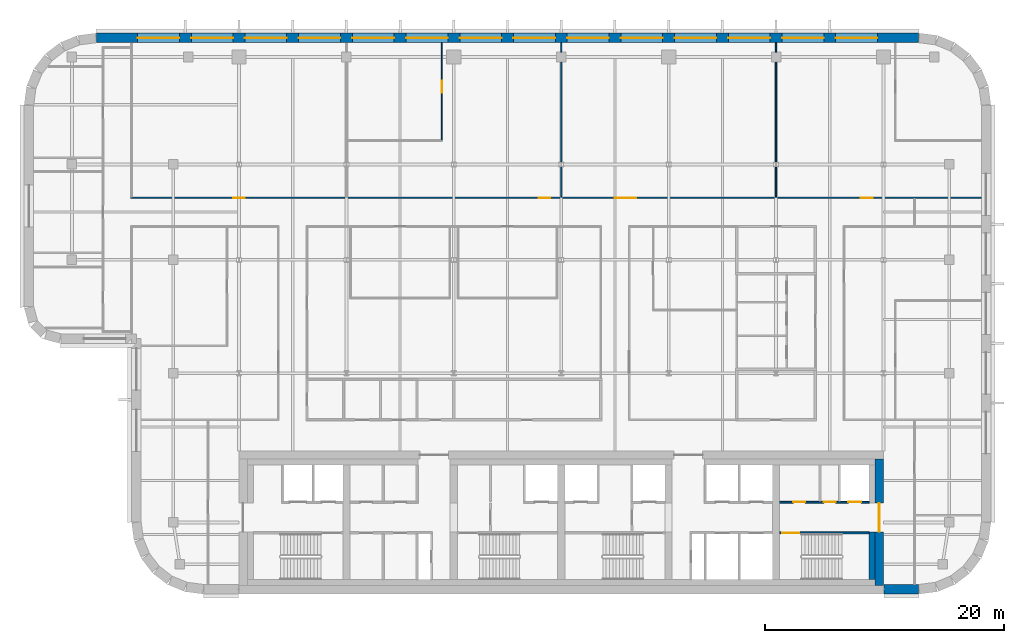
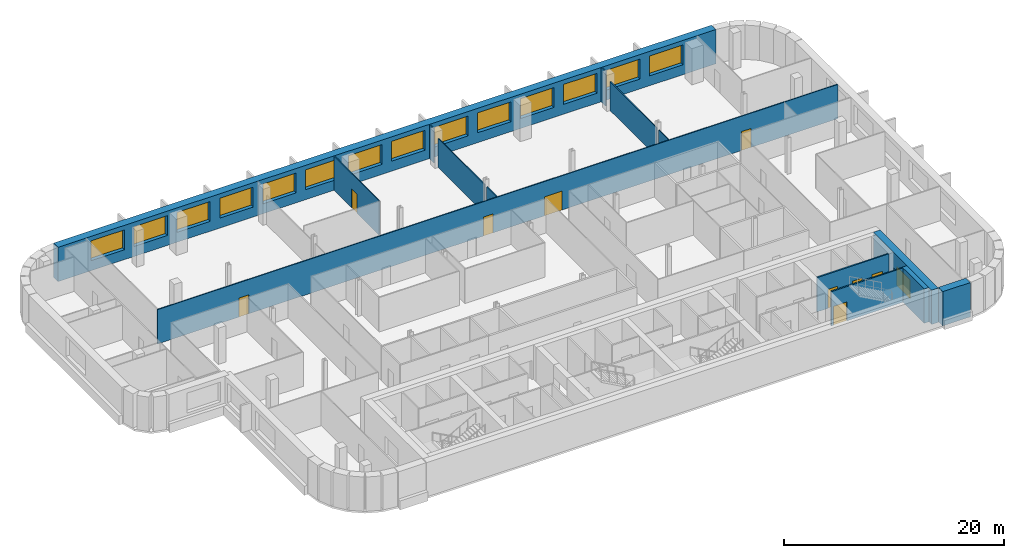
# One storey, part 11 of 17: 14 walls, 14 windows, 10 doors, 24 openings.
"""IFC4 building model written with IfcOpenShell, lengths in metres."""

from ifc_helpers import new_model, si_unit, direction, frame, frame_2d, origin, place, context, subcontext, project, spatial, rectangle, extrude, material, layer, layer_set, type_object, element, fill, save


model = new_model("IFC4")

# Units and contexts
model_context = context("Model", 3, precision=1e-05, world=origin(), true_north=direction((0.0, 1.0)))
body_context = subcontext(model_context, "Body", "Model", "MODEL_VIEW")
ifc_project = project(units=[si_unit("LENGTHUNIT", "METRE"), si_unit("AREAUNIT", "SQUARE_METRE"), si_unit("VOLUMEUNIT", "CUBIC_METRE"), si_unit("PLANEANGLEUNIT", "RADIAN"), si_unit("MASSUNIT", "GRAM", prefix="KILO")], contexts=[model_context])

# Site, building, storey
site_placement = place(None, origin())
site = spatial("IfcSite", under=ifc_project, at=site_placement, CompositionType="ELEMENT")
building_placement = place(site_placement, origin())
building = spatial("IfcBuilding", under=site, at=building_placement, Name="Zellij Exchange Tower", CompositionType="ELEMENT")
storey_placement = place(building_placement, frame((0.0, 0.0, 224.5)))
storey = spatial("IfcBuildingStorey", under=building, at=storey_placement, Name="L52", CompositionType="ELEMENT", Elevation=224.5)

# Wall
ifc_material_1 = material(Name="Concrete C30/37", Category="concrete")
ifc_layer_1 = layer(ifc_material_1, 0.5)
ifc_layer_set_1 = layer_set([ifc_layer_1], Name="Concrete C30/37")
wall_type_1 = type_object("IfcWallType", Name="CORE-LW 500 C30/37", PredefinedType="SHEAR", material=ifc_layer_set_1)
wall_1_placement = place(storey_placement, frame((26.050048828125, -12.800048828125, 0.0), z_axis=(0.0, 0.0, 1.0), x_axis=(0.0, 1.0, 0.0)))
element("IfcWall", 1, at=wall_1_placement, inside=storey, type_object=wall_type_1, Name="Core wall lining end e.0 L52", PredefinedType="SHEAR", context=body_context, shape_type="SweptSolid", body=[
    extrude(rectangle(XDim=4.0, YDim=0.5, at=frame_2d((2.0, 0.0))), origin(), (0.0, 0.0, 1.0), 3.800048828125),
])

# Wall, openings, doors
ifc_material_2 = material(Name="Gypsum shaft wall system")
ifc_layer_2 = layer(ifc_material_2, 0.14990234375)
ifc_layer_set_2 = layer_set([ifc_layer_2], Name="Gypsum shaft wall system")
wall_type_2 = type_object("IfcWallType", Name="CORE-PW 150 Lift shaft wall", PredefinedType="PARTITIONING", material=ifc_layer_set_2)
wall_2_placement = place(storey_placement, frame((18.300048828125, -6.300048828125, 0.0), z_axis=(0.0, 0.0, 1.0), x_axis=(1.0, 0.0, 0.0)))
wall_2 = element("IfcWall", 2, at=wall_2_placement, inside=storey, type_object=wall_type_2, Name="Lift shaft wall L52", PredefinedType="PARTITIONING", context=body_context, shape_type="SweptSolid", body=[
    extrude(rectangle(XDim=7.5, YDim=0.14990234375, at=frame_2d((3.75, 0.0))), origin(), (0.0, 0.0, 1.0), 3.800048828125),
])
opening_1_placement = place(wall_2_placement, frame((1.14990234375, 0.0, 0.0)))
opening_1 = element("IfcOpeningElement", 3, at=opening_1_placement, cuts=wall_2, Name="Opening CA-28.25", PredefinedType="OPENING", context=body_context, shape_type="SweptSolid", body=[
    extrude(rectangle(XDim=1.0, YDim=2.10009765625, at=frame_2d((0.5, 1.050048828125))), frame((0.0, 0.0869140625, 0.0), z_axis=(0.0, -1.0, 0.0), x_axis=(1.0, 0.0, 0.0)), (0.0, 0.0, 1.0), 0.173828125),
])
opening_2_placement = place(wall_2_placement, frame((3.699951171875, 0.0, 0.0)))
opening_2 = element("IfcOpeningElement", 4, at=opening_2_placement, cuts=wall_2, Name="Opening CA-28.26", PredefinedType="OPENING", context=body_context, shape_type="SweptSolid", body=[
    extrude(rectangle(XDim=1.0, YDim=2.10009765625, at=frame_2d((0.5, 1.050048828125))), frame((0.0, 0.0869140625, 0.0), z_axis=(0.0, -1.0, 0.0), x_axis=(1.0, 0.0, 0.0)), (0.0, 0.0, 1.0), 0.173828125),
])
opening_3_placement = place(wall_2_placement, frame((5.75, 0.0, 0.0)))
opening_3 = element("IfcOpeningElement", 5, at=opening_3_placement, cuts=wall_2, Name="Opening CA-28.27", PredefinedType="OPENING", context=body_context, shape_type="SweptSolid", body=[
    extrude(rectangle(XDim=1.10009765625, YDim=2.10009765625, at=frame_2d((0.550048828125, 1.050048828125))), frame((0.0, 0.0869140625, 0.0), z_axis=(0.0, -1.0, 0.0), x_axis=(1.0, 0.0, 0.0)), (0.0, 0.0, 1.0), 0.173828125),
])
ifc_material_3 = material(Name="Hollow metal fire door")
door_type_1 = type_object("IfcDoorType", Name="CORE-D CD Core room door 1000x2100 1 HR", OperationType="NOTDEFINED", PredefinedType="DOOR", material=ifc_material_3)
door_1_placement = place(opening_1_placement, origin())
door_1 = element("IfcDoor", 6, at=door_1_placement, inside=storey, type_object=door_type_1, Name="Core room door CA-28.25", OperationType="SINGLE_SWING_LEFT", OverallHeight=2.10009765625, OverallWidth=1.0, PredefinedType="DOOR", context=body_context, shape_type="SweptSolid", body=[
    extrude(rectangle(XDim=1.0, YDim=2.10009765625, at=frame_2d((0.5, 1.050048828125))), frame((0.0, 0.02490234375, 0.0), z_axis=(0.0, -1.0, 0.0), x_axis=(1.0, 0.0, 0.0)), (0.0, 0.0, 1.0), 0.050048828125),
])
fill(opening_1, door_1)
door_2_placement = place(opening_2_placement, origin())
door_2 = element("IfcDoor", 7, at=door_2_placement, inside=storey, type_object=door_type_1, Name="Core room door CA-28.26", OperationType="SINGLE_SWING_RIGHT", OverallHeight=2.10009765625, OverallWidth=1.0, PredefinedType="DOOR", context=body_context, shape_type="SweptSolid", body=[
    extrude(rectangle(XDim=1.0, YDim=2.10009765625, at=frame_2d((0.5, 1.050048828125))), frame((0.0, 0.02490234375, 0.0), z_axis=(0.0, -1.0, 0.0), x_axis=(1.0, 0.0, 0.0)), (0.0, 0.0, 1.0), 0.050048828125),
])
fill(opening_2, door_2)
door_type_2 = type_object("IfcDoorType", Name="CORE-D LD Lift landing door 1100x2100 1.5 HR", OperationType="NOTDEFINED", PredefinedType="DOOR", material=ifc_material_3)
door_3_placement = place(opening_3_placement, origin())
door_3 = element("IfcDoor", 8, at=door_3_placement, inside=storey, type_object=door_type_2, Name="Lift landing door CA-28.27", OperationType="SLIDING_TO_LEFT", OverallHeight=2.10009765625, OverallWidth=1.10009765625, PredefinedType="DOOR", context=body_context, shape_type="SweptSolid", body=[
    extrude(rectangle(XDim=1.10009765625, YDim=2.10009765625, at=frame_2d((0.550048828125, 1.050048828125))), frame((0.0, 0.02490234375, 0.0), z_axis=(0.0, -1.0, 0.0), x_axis=(1.0, 0.0, 0.0)), (0.0, 0.0, 1.0), 0.050048828125),
])
fill(opening_3, door_3)

# Wall, opening, door
ifc_material_4 = material(Name="Concrete C50/60", Category="concrete")
ifc_layer_3 = layer(ifc_material_4, 0.699951171875)
ifc_layer_set_3 = layer_set([ifc_layer_3], Name="Concrete C50/60")
wall_type_3 = type_object("IfcWallType", Name="CORE-SW 700 C50/60", PredefinedType="SHEAR", material=ifc_layer_set_3)
wall_3_placement = place(storey_placement, frame((26.64990234375, -13.300048828125, 0.0), z_axis=(0.0, 0.0, 1.0), x_axis=(0.0, 1.0, 0.0)))
wall_3 = element("IfcWall", 9, at=wall_3_placement, inside=storey, type_object=wall_type_3, Name="Core shear wall end e L52", PredefinedType="SHEAR", context=body_context, shape_type="SweptSolid", body=[
    extrude(rectangle(XDim=10.60009765625, YDim=0.699951171875, at=frame_2d((5.300048828125, 0.0))), origin(), (0.0, 0.0, 1.0), 3.800048828125),
])
opening_4_placement = place(wall_3_placement, frame((4.511962890625, 0.0, 0.0)))
opening_4 = element("IfcOpeningElement", 10, at=opening_4_placement, cuts=wall_3, Name="Opening CA-28.28", PredefinedType="OPENING", context=body_context, shape_type="SweptSolid", body=[
    extrude(rectangle(XDim=2.39990234375, YDim=2.10009765625, at=frame_2d((1.199951171875, 1.050048828125))), frame((0.0, 0.36181640625, 0.0), z_axis=(0.0, -1.0, 0.0), x_axis=(1.0, 0.0, 0.0)), (0.0, 0.0, 1.0), 0.723876953125),
])
door_type_3 = type_object("IfcDoorType", Name="CORE-D CE Core entrance door 2400x2100 20 MIN", OperationType="NOTDEFINED", PredefinedType="DOOR", material=ifc_material_3)
door_4_placement = place(opening_4_placement, origin())
door_4 = element("IfcDoor", 11, at=door_4_placement, inside=storey, type_object=door_type_3, Name="Core entrance door CA-28.28", OperationType="DOUBLE_DOOR_SINGLE_SWING", OverallHeight=2.10009765625, OverallWidth=2.39990234375, PredefinedType="DOOR", context=body_context, shape_type="SweptSolid", body=[
    extrude(rectangle(XDim=2.39990234375, YDim=2.10009765625, at=frame_2d((1.199951171875, 1.050048828125))), frame((0.0, 0.02490234375, 0.0), z_axis=(0.0, -1.0, 0.0), x_axis=(1.0, 0.0, 0.0)), (0.0, 0.0, 1.0), 0.050048828125),
])
fill(opening_4, door_4)

ifc_layer_4 = layer(ifc_material_4, 0.14990234375)
ifc_layer_set_4 = layer_set([ifc_layer_4], Name="Concrete C50/60")
wall_type_4 = type_object("IfcWallType", Name="CORE-SWS 150 C50/60", PredefinedType="SHEAR", material=ifc_layer_set_4)
wall_4_placement = place(storey_placement, frame((18.300048828125, -8.875, 0.0), z_axis=(0.0, 0.0, 1.0), x_axis=(1.0, 0.0, 0.0)))
wall_4 = element("IfcWall", 12, at=wall_4_placement, inside=storey, type_object=wall_type_4, Name="Stair enclosure wall L52", PredefinedType="SHEAR", context=body_context, shape_type="SweptSolid", body=[
    extrude(rectangle(XDim=7.5, YDim=0.14990234375, at=frame_2d((3.75, 0.0))), origin(), (0.0, 0.0, 1.0), 3.800048828125),
])
opening_5_placement = place(wall_4_placement, frame((0.22509765625, 0.0, 0.0)))
opening_5 = element("IfcOpeningElement", 13, at=opening_5_placement, cuts=wall_4, Name="Opening CA-28.24", PredefinedType="OPENING", context=body_context, shape_type="SweptSolid", body=[
    extrude(rectangle(XDim=1.39990234375, YDim=2.10009765625, at=frame_2d((0.699951171875, 1.050048828125))), frame((0.0, 0.0869140625, 0.0), z_axis=(0.0, -1.0, 0.0), x_axis=(1.0, 0.0, 0.0)), (0.0, 0.0, 1.0), 0.173828125),
])
door_type_4 = type_object("IfcDoorType", Name="CORE-D SD Stair door 1400x2100 1.5 HR", OperationType="NOTDEFINED", PredefinedType="DOOR", material=ifc_material_3)
door_5_placement = place(opening_5_placement, origin())
door_5 = element("IfcDoor", 14, at=door_5_placement, inside=storey, type_object=door_type_4, Name="Stair door CA-28.24", OperationType="DOUBLE_DOOR_SINGLE_SWING", OverallHeight=2.10009765625, OverallWidth=1.39990234375, PredefinedType="DOOR", context=body_context, shape_type="SweptSolid", body=[
    extrude(rectangle(XDim=1.39990234375, YDim=2.10009765625, at=frame_2d((0.699951171875, 1.050048828125))), frame((0.0, 0.02490234375, 0.0), z_axis=(0.0, -1.0, 0.0), x_axis=(1.0, 0.0, 0.0)), (0.0, 0.0, 1.0), 0.050048828125),
])
fill(opening_5, door_5)

# Wall
ifc_material_5 = material(Name="Precast concrete C40/50", Category="concrete")
ifc_layer_5 = layer(ifc_material_5, 0.800048828125)
ifc_layer_set_5 = layer_set([ifc_layer_5], Name="Precast concrete C40/50")
wall_type_5 = type_object("IfcWallType", Name="ENV-EW1 Precast stone-piered wall 800", PredefinedType="SOLIDWALL", material=ifc_layer_set_5)
wall_5_placement = place(storey_placement, frame((27.050048828125, -13.60009765625, 0.0), z_axis=(0.0, 0.0, 1.0), x_axis=(1.0, 0.0, 0.0)))
element("IfcWall", 15, at=wall_5_placement, inside=storey, type_object=wall_type_5, Name="fac.L52.00b", PredefinedType="SOLIDWALL", context=body_context, shape_type="SweptSolid", body=[
    extrude(rectangle(XDim=2.8974609375, YDim=0.800048828125, at=frame_2d((1.44873046875, 0.0))), origin(), (0.0, 0.0, 1.0), 3.800048828125),
])

# Wall, openings, windows
wall_6_placement = place(storey_placement, frame((29.947509765625, 32.60009765625, 0.0), z_axis=(0.0, 0.0, 1.0), x_axis=(-1.0, 0.0, 0.0)))
wall_6 = element("IfcWall", 16, at=wall_6_placement, inside=storey, type_object=wall_type_5, Name="fac.L52.14", PredefinedType="SOLIDWALL", context=body_context, shape_type="SweptSolid", body=[
    extrude(rectangle(XDim=68.89501953125, YDim=0.800048828125, at=frame_2d((34.447509765625, 0.0))), origin(), (0.0, 0.0, 1.0), 3.800048828125),
])
opening_6_placement = place(wall_6_placement, frame((3.447509765625, 0.0, 1.10009765625)))
opening_6 = element("IfcOpeningElement", 17, at=opening_6_placement, cuts=wall_6, Name="Opening FZ4.06", PredefinedType="OPENING", context=body_context, shape_type="SweptSolid", body=[
    extrude(rectangle(XDim=3.5, YDim=2.199951171875, at=frame_2d((1.75, 1.10009765625))), frame((0.0, 0.412109375, 0.0), z_axis=(0.0, -1.0, 0.0), x_axis=(1.0, 0.0, 0.0)), (0.0, 0.0, 1.0), 0.823974609375),
])
opening_7_placement = place(wall_6_placement, frame((7.947509765625, 0.0, 1.10009765625)))
opening_7 = element("IfcOpeningElement", 18, at=opening_7_placement, cuts=wall_6, Name="Opening FZ4.07", PredefinedType="OPENING", context=body_context, shape_type="SweptSolid", body=[
    extrude(rectangle(XDim=3.5, YDim=2.199951171875, at=frame_2d((1.75, 1.10009765625))), frame((0.0, 0.412109375, 0.0), z_axis=(0.0, -1.0, 0.0), x_axis=(1.0, 0.0, 0.0)), (0.0, 0.0, 1.0), 0.823974609375),
])
opening_8_placement = place(wall_6_placement, frame((12.447509765625, 0.0, 1.10009765625)))
opening_8 = element("IfcOpeningElement", 19, at=opening_8_placement, cuts=wall_6, Name="Opening FZ4.08", PredefinedType="OPENING", context=body_context, shape_type="SweptSolid", body=[
    extrude(rectangle(XDim=3.5, YDim=2.199951171875, at=frame_2d((1.75, 1.10009765625))), frame((0.0, 0.412109375, 0.0), z_axis=(0.0, -1.0, 0.0), x_axis=(1.0, 0.0, 0.0)), (0.0, 0.0, 1.0), 0.823974609375),
])
opening_9_placement = place(wall_6_placement, frame((16.947509765625, 0.0, 1.10009765625)))
opening_9 = element("IfcOpeningElement", 20, at=opening_9_placement, cuts=wall_6, Name="Opening FZ4.09", PredefinedType="OPENING", context=body_context, shape_type="SweptSolid", body=[
    extrude(rectangle(XDim=3.5, YDim=2.199951171875, at=frame_2d((1.75, 1.10009765625))), frame((0.0, 0.412109375, 0.0), z_axis=(0.0, -1.0, 0.0), x_axis=(1.0, 0.0, 0.0)), (0.0, 0.0, 1.0), 0.823974609375),
])
opening_10_placement = place(wall_6_placement, frame((21.447509765625, 0.0, 1.10009765625)))
opening_10 = element("IfcOpeningElement", 21, at=opening_10_placement, cuts=wall_6, Name="Opening FZ4.10", PredefinedType="OPENING", context=body_context, shape_type="SweptSolid", body=[
    extrude(rectangle(XDim=3.5, YDim=2.199951171875, at=frame_2d((1.75, 1.10009765625))), frame((0.0, 0.412109375, 0.0), z_axis=(0.0, -1.0, 0.0), x_axis=(1.0, 0.0, 0.0)), (0.0, 0.0, 1.0), 0.823974609375),
])
opening_11_placement = place(wall_6_placement, frame((25.947509765625, 0.0, 1.10009765625)))
opening_11 = element("IfcOpeningElement", 22, at=opening_11_placement, cuts=wall_6, Name="Opening FZ4.11", PredefinedType="OPENING", context=body_context, shape_type="SweptSolid", body=[
    extrude(rectangle(XDim=3.5, YDim=2.199951171875, at=frame_2d((1.75, 1.10009765625))), frame((0.0, 0.412109375, 0.0), z_axis=(0.0, -1.0, 0.0), x_axis=(1.0, 0.0, 0.0)), (0.0, 0.0, 1.0), 0.823974609375),
])
opening_12_placement = place(wall_6_placement, frame((30.447509765625, 0.0, 1.10009765625)))
opening_12 = element("IfcOpeningElement", 23, at=opening_12_placement, cuts=wall_6, Name="Opening FZ4.12", PredefinedType="OPENING", context=body_context, shape_type="SweptSolid", body=[
    extrude(rectangle(XDim=3.5, YDim=2.199951171875, at=frame_2d((1.75, 1.10009765625))), frame((0.0, 0.412109375, 0.0), z_axis=(0.0, -1.0, 0.0), x_axis=(1.0, 0.0, 0.0)), (0.0, 0.0, 1.0), 0.823974609375),
])
opening_13_placement = place(wall_6_placement, frame((34.947509765625, 0.0, 1.10009765625)))
opening_13 = element("IfcOpeningElement", 24, at=opening_13_placement, cuts=wall_6, Name="Opening FZ4.13", PredefinedType="OPENING", context=body_context, shape_type="SweptSolid", body=[
    extrude(rectangle(XDim=3.5, YDim=2.199951171875, at=frame_2d((1.75, 1.10009765625))), frame((0.0, 0.412109375, 0.0), z_axis=(0.0, -1.0, 0.0), x_axis=(1.0, 0.0, 0.0)), (0.0, 0.0, 1.0), 0.823974609375),
])
opening_14_placement = place(wall_6_placement, frame((39.447509765625, 0.0, 1.10009765625)))
opening_14 = element("IfcOpeningElement", 25, at=opening_14_placement, cuts=wall_6, Name="Opening FZ4.14", PredefinedType="OPENING", context=body_context, shape_type="SweptSolid", body=[
    extrude(rectangle(XDim=3.5, YDim=2.199951171875, at=frame_2d((1.75, 1.10009765625))), frame((0.0, 0.412109375, 0.0), z_axis=(0.0, -1.0, 0.0), x_axis=(1.0, 0.0, 0.0)), (0.0, 0.0, 1.0), 0.823974609375),
])
opening_15_placement = place(wall_6_placement, frame((43.947509765625, 0.0, 1.10009765625)))
opening_15 = element("IfcOpeningElement", 26, at=opening_15_placement, cuts=wall_6, Name="Opening FZ4.15", PredefinedType="OPENING", context=body_context, shape_type="SweptSolid", body=[
    extrude(rectangle(XDim=3.5, YDim=2.199951171875, at=frame_2d((1.75, 1.10009765625))), frame((0.0, 0.412109375, 0.0), z_axis=(0.0, -1.0, 0.0), x_axis=(1.0, 0.0, 0.0)), (0.0, 0.0, 1.0), 0.823974609375),
])
opening_16_placement = place(wall_6_placement, frame((48.447509765625, 0.0, 1.10009765625)))
opening_16 = element("IfcOpeningElement", 27, at=opening_16_placement, cuts=wall_6, Name="Opening FZ4.16", PredefinedType="OPENING", context=body_context, shape_type="SweptSolid", body=[
    extrude(rectangle(XDim=3.5, YDim=2.199951171875, at=frame_2d((1.75, 1.10009765625))), frame((0.0, 0.412109375, 0.0), z_axis=(0.0, -1.0, 0.0), x_axis=(1.0, 0.0, 0.0)), (0.0, 0.0, 1.0), 0.823974609375),
])
opening_17_placement = place(wall_6_placement, frame((52.947509765625, 0.0, 1.10009765625)))
opening_17 = element("IfcOpeningElement", 28, at=opening_17_placement, cuts=wall_6, Name="Opening FZ4.17", PredefinedType="OPENING", context=body_context, shape_type="SweptSolid", body=[
    extrude(rectangle(XDim=3.5, YDim=2.199951171875, at=frame_2d((1.75, 1.10009765625))), frame((0.0, 0.412109375, 0.0), z_axis=(0.0, -1.0, 0.0), x_axis=(1.0, 0.0, 0.0)), (0.0, 0.0, 1.0), 0.823974609375),
])
opening_18_placement = place(wall_6_placement, frame((57.447509765625, 0.0, 1.10009765625)))
opening_18 = element("IfcOpeningElement", 29, at=opening_18_placement, cuts=wall_6, Name="Opening FZ4.18", PredefinedType="OPENING", context=body_context, shape_type="SweptSolid", body=[
    extrude(rectangle(XDim=3.5, YDim=2.199951171875, at=frame_2d((1.75, 1.10009765625))), frame((0.0, 0.412109375, 0.0), z_axis=(0.0, -1.0, 0.0), x_axis=(1.0, 0.0, 0.0)), (0.0, 0.0, 1.0), 0.823974609375),
])
opening_19_placement = place(wall_6_placement, frame((61.947509765625, 0.0, 1.10009765625)))
opening_19 = element("IfcOpeningElement", 30, at=opening_19_placement, cuts=wall_6, Name="Opening FZ4.19", PredefinedType="OPENING", context=body_context, shape_type="SweptSolid", body=[
    extrude(rectangle(XDim=3.5, YDim=2.199951171875, at=frame_2d((1.75, 1.10009765625))), frame((0.0, 0.412109375, 0.0), z_axis=(0.0, -1.0, 0.0), x_axis=(1.0, 0.0, 0.0)), (0.0, 0.0, 1.0), 0.823974609375),
])
ifc_material_6 = material(Name="Aluminium frame with insulating glass", Category="aluminium")
window_type = type_object("IfcWindowType", Name="ENV-W7 Window 3500x2200", PartitioningType="SINGLE_PANEL", PredefinedType="WINDOW", material=ifc_material_6)
window_1_placement = place(opening_6_placement, origin())
window_1 = element("IfcWindow", 31, at=window_1_placement, inside=storey, type_object=window_type, Name="Window FZ4.06", OverallHeight=2.199951171875, OverallWidth=3.5, PartitioningType="SINGLE_PANEL", PredefinedType="WINDOW", context=body_context, shape_type="SweptSolid", body=[
    extrude(rectangle(XDim=3.5, YDim=2.199951171875, at=frame_2d((1.75, 1.10009765625))), frame((0.0, 0.030029296875, 0.0), z_axis=(0.0, -1.0, 0.0), x_axis=(1.0, 0.0, 0.0)), (0.0, 0.0, 1.0), 0.06005859375),
])
fill(opening_6, window_1)
window_2_placement = place(opening_7_placement, origin())
window_2 = element("IfcWindow", 32, at=window_2_placement, inside=storey, type_object=window_type, Name="Window FZ4.07", OverallHeight=2.199951171875, OverallWidth=3.5, PartitioningType="SINGLE_PANEL", PredefinedType="WINDOW", context=body_context, shape_type="SweptSolid", body=[
    extrude(rectangle(XDim=3.5, YDim=2.199951171875, at=frame_2d((1.75, 1.10009765625))), frame((0.0, 0.030029296875, 0.0), z_axis=(0.0, -1.0, 0.0), x_axis=(1.0, 0.0, 0.0)), (0.0, 0.0, 1.0), 0.06005859375),
])
fill(opening_7, window_2)
window_3_placement = place(opening_8_placement, origin())
window_3 = element("IfcWindow", 33, at=window_3_placement, inside=storey, type_object=window_type, Name="Window FZ4.08", OverallHeight=2.199951171875, OverallWidth=3.5, PartitioningType="SINGLE_PANEL", PredefinedType="WINDOW", context=body_context, shape_type="SweptSolid", body=[
    extrude(rectangle(XDim=3.5, YDim=2.199951171875, at=frame_2d((1.75, 1.10009765625))), frame((0.0, 0.030029296875, 0.0), z_axis=(0.0, -1.0, 0.0), x_axis=(1.0, 0.0, 0.0)), (0.0, 0.0, 1.0), 0.06005859375),
])
fill(opening_8, window_3)
window_4_placement = place(opening_9_placement, origin())
window_4 = element("IfcWindow", 34, at=window_4_placement, inside=storey, type_object=window_type, Name="Window FZ4.09", OverallHeight=2.199951171875, OverallWidth=3.5, PartitioningType="SINGLE_PANEL", PredefinedType="WINDOW", context=body_context, shape_type="SweptSolid", body=[
    extrude(rectangle(XDim=3.5, YDim=2.199951171875, at=frame_2d((1.75, 1.10009765625))), frame((0.0, 0.030029296875, 0.0), z_axis=(0.0, -1.0, 0.0), x_axis=(1.0, 0.0, 0.0)), (0.0, 0.0, 1.0), 0.06005859375),
])
fill(opening_9, window_4)
window_5_placement = place(opening_10_placement, origin())
window_5 = element("IfcWindow", 35, at=window_5_placement, inside=storey, type_object=window_type, Name="Window FZ4.10", OverallHeight=2.199951171875, OverallWidth=3.5, PartitioningType="SINGLE_PANEL", PredefinedType="WINDOW", context=body_context, shape_type="SweptSolid", body=[
    extrude(rectangle(XDim=3.5, YDim=2.199951171875, at=frame_2d((1.75, 1.10009765625))), frame((0.0, 0.030029296875, 0.0), z_axis=(0.0, -1.0, 0.0), x_axis=(1.0, 0.0, 0.0)), (0.0, 0.0, 1.0), 0.06005859375),
])
fill(opening_10, window_5)
window_6_placement = place(opening_11_placement, origin())
window_6 = element("IfcWindow", 36, at=window_6_placement, inside=storey, type_object=window_type, Name="Window FZ4.11", OverallHeight=2.199951171875, OverallWidth=3.5, PartitioningType="SINGLE_PANEL", PredefinedType="WINDOW", context=body_context, shape_type="SweptSolid", body=[
    extrude(rectangle(XDim=3.5, YDim=2.199951171875, at=frame_2d((1.75, 1.10009765625))), frame((0.0, 0.030029296875, 0.0), z_axis=(0.0, -1.0, 0.0), x_axis=(1.0, 0.0, 0.0)), (0.0, 0.0, 1.0), 0.06005859375),
])
fill(opening_11, window_6)
window_7_placement = place(opening_12_placement, origin())
window_7 = element("IfcWindow", 37, at=window_7_placement, inside=storey, type_object=window_type, Name="Window FZ4.12", OverallHeight=2.199951171875, OverallWidth=3.5, PartitioningType="SINGLE_PANEL", PredefinedType="WINDOW", context=body_context, shape_type="SweptSolid", body=[
    extrude(rectangle(XDim=3.5, YDim=2.199951171875, at=frame_2d((1.75, 1.10009765625))), frame((0.0, 0.030029296875, 0.0), z_axis=(0.0, -1.0, 0.0), x_axis=(1.0, 0.0, 0.0)), (0.0, 0.0, 1.0), 0.06005859375),
])
fill(opening_12, window_7)
window_8_placement = place(opening_13_placement, origin())
window_8 = element("IfcWindow", 38, at=window_8_placement, inside=storey, type_object=window_type, Name="Window FZ4.13", OverallHeight=2.199951171875, OverallWidth=3.5, PartitioningType="SINGLE_PANEL", PredefinedType="WINDOW", context=body_context, shape_type="SweptSolid", body=[
    extrude(rectangle(XDim=3.5, YDim=2.199951171875, at=frame_2d((1.75, 1.10009765625))), frame((0.0, 0.030029296875, 0.0), z_axis=(0.0, -1.0, 0.0), x_axis=(1.0, 0.0, 0.0)), (0.0, 0.0, 1.0), 0.06005859375),
])
fill(opening_13, window_8)
window_9_placement = place(opening_14_placement, origin())
window_9 = element("IfcWindow", 39, at=window_9_placement, inside=storey, type_object=window_type, Name="Window FZ4.14", OverallHeight=2.199951171875, OverallWidth=3.5, PartitioningType="SINGLE_PANEL", PredefinedType="WINDOW", context=body_context, shape_type="SweptSolid", body=[
    extrude(rectangle(XDim=3.5, YDim=2.199951171875, at=frame_2d((1.75, 1.10009765625))), frame((0.0, 0.030029296875, 0.0), z_axis=(0.0, -1.0, 0.0), x_axis=(1.0, 0.0, 0.0)), (0.0, 0.0, 1.0), 0.06005859375),
])
fill(opening_14, window_9)
window_10_placement = place(opening_15_placement, origin())
window_10 = element("IfcWindow", 40, at=window_10_placement, inside=storey, type_object=window_type, Name="Window FZ4.15", OverallHeight=2.199951171875, OverallWidth=3.5, PartitioningType="SINGLE_PANEL", PredefinedType="WINDOW", context=body_context, shape_type="SweptSolid", body=[
    extrude(rectangle(XDim=3.5, YDim=2.199951171875, at=frame_2d((1.75, 1.10009765625))), frame((0.0, 0.030029296875, 0.0), z_axis=(0.0, -1.0, 0.0), x_axis=(1.0, 0.0, 0.0)), (0.0, 0.0, 1.0), 0.06005859375),
])
fill(opening_15, window_10)
window_11_placement = place(opening_16_placement, origin())
window_11 = element("IfcWindow", 41, at=window_11_placement, inside=storey, type_object=window_type, Name="Window FZ4.16", OverallHeight=2.199951171875, OverallWidth=3.5, PartitioningType="SINGLE_PANEL", PredefinedType="WINDOW", context=body_context, shape_type="SweptSolid", body=[
    extrude(rectangle(XDim=3.5, YDim=2.199951171875, at=frame_2d((1.75, 1.10009765625))), frame((0.0, 0.030029296875, 0.0), z_axis=(0.0, -1.0, 0.0), x_axis=(1.0, 0.0, 0.0)), (0.0, 0.0, 1.0), 0.06005859375),
])
fill(opening_16, window_11)
window_12_placement = place(opening_17_placement, origin())
window_12 = element("IfcWindow", 42, at=window_12_placement, inside=storey, type_object=window_type, Name="Window FZ4.17", OverallHeight=2.199951171875, OverallWidth=3.5, PartitioningType="SINGLE_PANEL", PredefinedType="WINDOW", context=body_context, shape_type="SweptSolid", body=[
    extrude(rectangle(XDim=3.5, YDim=2.199951171875, at=frame_2d((1.75, 1.10009765625))), frame((0.0, 0.030029296875, 0.0), z_axis=(0.0, -1.0, 0.0), x_axis=(1.0, 0.0, 0.0)), (0.0, 0.0, 1.0), 0.06005859375),
])
fill(opening_17, window_12)
window_13_placement = place(opening_18_placement, origin())
window_13 = element("IfcWindow", 43, at=window_13_placement, inside=storey, type_object=window_type, Name="Window FZ4.18", OverallHeight=2.199951171875, OverallWidth=3.5, PartitioningType="SINGLE_PANEL", PredefinedType="WINDOW", context=body_context, shape_type="SweptSolid", body=[
    extrude(rectangle(XDim=3.5, YDim=2.199951171875, at=frame_2d((1.75, 1.10009765625))), frame((0.0, 0.030029296875, 0.0), z_axis=(0.0, -1.0, 0.0), x_axis=(1.0, 0.0, 0.0)), (0.0, 0.0, 1.0), 0.06005859375),
])
fill(opening_18, window_13)
window_14_placement = place(opening_19_placement, origin())
window_14 = element("IfcWindow", 44, at=window_14_placement, inside=storey, type_object=window_type, Name="Window FZ4.19", OverallHeight=2.199951171875, OverallWidth=3.5, PartitioningType="SINGLE_PANEL", PredefinedType="WINDOW", context=body_context, shape_type="SweptSolid", body=[
    extrude(rectangle(XDim=3.5, YDim=2.199951171875, at=frame_2d((1.75, 1.10009765625))), frame((0.0, 0.030029296875, 0.0), z_axis=(0.0, -1.0, 0.0), x_axis=(1.0, 0.0, 0.0)), (0.0, 0.0, 1.0), 0.06005859375),
])
fill(opening_19, window_14)

# Wall, openings, doors
ifc_material_7 = material(Name="Gypsum board partition on steel studs", Category="steel")
ifc_layer_6 = layer(ifc_material_7, 0.10009765625)
ifc_layer_set_6 = layer_set([ifc_layer_6], Name="Gypsum board partition on steel studs")
wall_type_6 = type_object("IfcWallType", Name="FIT-PARTITION-100", PredefinedType="PARTITIONING", material=ifc_layer_set_6)
wall_7_placement = place(storey_placement, frame((-36.050048828125, 19.199951171875, 0.0), z_axis=(0.0, 0.0, 1.0), x_axis=(1.0, 0.0, 0.0)))
wall_7 = element("IfcWall", 45, at=wall_7_placement, inside=storey, type_object=wall_type_6, Name="FIT-PARTITION-100 058", PredefinedType="PARTITIONING", context=body_context, shape_type="SweptSolid", body=[
    extrude(rectangle(XDim=71.25, YDim=0.10009765625, at=frame_2d((35.625, 0.0))), origin(), (0.0, 0.0, 1.0), 3.800048828125),
])
opening_20_placement = place(wall_7_placement, frame((8.550048828125, 0.0, 0.0)))
opening_20 = element("IfcOpeningElement", 46, at=opening_20_placement, cuts=wall_7, Name="Opening O4A.25", PredefinedType="OPENING", context=body_context, shape_type="SweptSolid", body=[
    extrude(rectangle(XDim=1.0, YDim=2.10009765625, at=frame_2d((0.5, 1.050048828125))), frame((0.0, 0.06201171875, 0.0), z_axis=(0.0, -1.0, 0.0), x_axis=(1.0, 0.0, 0.0)), (0.0, 0.0, 1.0), 0.1240234375),
])
opening_21_placement = place(wall_7_placement, frame((34.14990234375, 0.0, 0.0)))
opening_21 = element("IfcOpeningElement", 47, at=opening_21_placement, cuts=wall_7, Name="Opening O4A.26", PredefinedType="OPENING", context=body_context, shape_type="SweptSolid", body=[
    extrude(rectangle(XDim=1.0, YDim=2.10009765625, at=frame_2d((0.5, 1.050048828125))), frame((0.0, 0.06201171875, 0.0), z_axis=(0.0, -1.0, 0.0), x_axis=(1.0, 0.0, 0.0)), (0.0, 0.0, 1.0), 0.1240234375),
])
opening_22_placement = place(wall_7_placement, frame((40.550048828125, 0.0, 0.0)))
opening_22 = element("IfcOpeningElement", 48, at=opening_22_placement, cuts=wall_7, Name="Opening O4A.27", PredefinedType="OPENING", context=body_context, shape_type="SweptSolid", body=[
    extrude(rectangle(XDim=1.800048828125, YDim=2.10009765625, at=frame_2d((0.89990234375, 1.050048828125))), frame((0.0, 0.06201171875, 0.0), z_axis=(0.0, -1.0, 0.0), x_axis=(1.0, 0.0, 0.0)), (0.0, 0.0, 1.0), 0.1240234375),
])
opening_23_placement = place(wall_7_placement, frame((61.14990234375, 0.0, 0.0)))
opening_23 = element("IfcOpeningElement", 49, at=opening_23_placement, cuts=wall_7, Name="Opening O4A.28", PredefinedType="OPENING", context=body_context, shape_type="SweptSolid", body=[
    extrude(rectangle(XDim=1.0, YDim=2.10009765625, at=frame_2d((0.5, 1.050048828125))), frame((0.0, 0.06201171875, 0.0), z_axis=(0.0, -1.0, 0.0), x_axis=(1.0, 0.0, 0.0)), (0.0, 0.0, 1.0), 0.1240234375),
])
ifc_material_8 = material(Name="Timber door set", Category="wood")
door_type_5 = type_object("IfcDoorType", Name="FIT-D2-WIDE-1000X2100", OperationType="SINGLE_SWING_LEFT", PredefinedType="DOOR", material=ifc_material_8)
door_6_placement = place(opening_20_placement, origin())
door_6 = element("IfcDoor", 50, at=door_6_placement, inside=storey, type_object=door_type_5, Name="Door O4A.25", OperationType="SINGLE_SWING_RIGHT", OverallHeight=2.10009765625, OverallWidth=1.0, PredefinedType="DOOR", context=body_context, shape_type="SweptSolid", body=[
    extrude(rectangle(XDim=1.0, YDim=2.10009765625, at=frame_2d((0.5, 1.050048828125))), frame((0.0, 0.02490234375, 0.0), z_axis=(0.0, -1.0, 0.0), x_axis=(1.0, 0.0, 0.0)), (0.0, 0.0, 1.0), 0.050048828125),
])
fill(opening_20, door_6)
door_7_placement = place(opening_21_placement, origin())
door_7 = element("IfcDoor", 51, at=door_7_placement, inside=storey, type_object=door_type_5, Name="Door O4A.26", OperationType="SINGLE_SWING_LEFT", OverallHeight=2.10009765625, OverallWidth=1.0, PredefinedType="DOOR", context=body_context, shape_type="SweptSolid", body=[
    extrude(rectangle(XDim=1.0, YDim=2.10009765625, at=frame_2d((0.5, 1.050048828125))), frame((0.0, 0.02490234375, 0.0), z_axis=(0.0, -1.0, 0.0), x_axis=(1.0, 0.0, 0.0)), (0.0, 0.0, 1.0), 0.050048828125),
])
fill(opening_21, door_7)
door_8_placement = place(opening_23_placement, origin())
door_8 = element("IfcDoor", 52, at=door_8_placement, inside=storey, type_object=door_type_5, Name="Door O4A.28", OperationType="SINGLE_SWING_LEFT", OverallHeight=2.10009765625, OverallWidth=1.0, PredefinedType="DOOR", context=body_context, shape_type="SweptSolid", body=[
    extrude(rectangle(XDim=1.0, YDim=2.10009765625, at=frame_2d((0.5, 1.050048828125))), frame((0.0, 0.02490234375, 0.0), z_axis=(0.0, -1.0, 0.0), x_axis=(1.0, 0.0, 0.0)), (0.0, 0.0, 1.0), 0.050048828125),
])
fill(opening_23, door_8)
door_type_6 = type_object("IfcDoorType", Name="FIT-D3-DOUBLE-1800X2100", OperationType="DOUBLE_DOOR_SINGLE_SWING", PredefinedType="DOOR", material=ifc_material_8)
door_9_placement = place(opening_22_placement, origin())
door_9 = element("IfcDoor", 53, at=door_9_placement, inside=storey, type_object=door_type_6, Name="Door O4A.27", OperationType="DOUBLE_DOOR_SINGLE_SWING", OverallHeight=2.10009765625, OverallWidth=1.800048828125, PredefinedType="DOOR", context=body_context, shape_type="SweptSolid", body=[
    extrude(rectangle(XDim=1.800048828125, YDim=2.10009765625, at=frame_2d((0.89990234375, 1.050048828125))), frame((0.0, 0.02490234375, 0.0), z_axis=(0.0, -1.0, 0.0), x_axis=(1.0, 0.0, 0.0)), (0.0, 0.0, 1.0), 0.050048828125),
])
fill(opening_22, door_9)

# Walls
wall_8_placement = place(storey_placement, frame((0.0, 19.25, 0.0), z_axis=(0.0, 0.0, 1.0), x_axis=(0.0, 1.0, 0.0)))
element("IfcWall", 54, at=wall_8_placement, inside=storey, type_object=wall_type_6, Name="FIT-PARTITION-100 063", PredefinedType="PARTITIONING", context=body_context, shape_type="SweptSolid", body=[
    extrude(rectangle(XDim=2.556884765625, YDim=0.10009765625, at=frame_2d((1.2783203125, 0.0))), origin(), (0.0, 0.0, 1.0), 3.19287109375),
])
wall_9_placement = place(storey_placement, frame((0.0, 22.193115234375, 0.0), z_axis=(0.0, 0.0, 1.0), x_axis=(0.0, 1.0, 0.0)))
element("IfcWall", 55, at=wall_9_placement, inside=storey, type_object=wall_type_6, Name="FIT-PARTITION-100 064", PredefinedType="PARTITIONING", context=body_context, shape_type="SweptSolid", body=[
    extrude(rectangle(XDim=8.406982421875, YDim=0.10009765625, at=frame_2d((4.20361328125, 0.0))), origin(), (0.0, 0.0, 1.0), 3.19287109375),
])
wall_10_placement = place(storey_placement, frame((0.0, 31.39990234375, 0.0), z_axis=(0.0, 0.0, 1.0), x_axis=(0.0, 1.0, 0.0)))
element("IfcWall", 56, at=wall_10_placement, inside=storey, type_object=wall_type_6, Name="FIT-PARTITION-100 065", PredefinedType="PARTITIONING", context=body_context, shape_type="SweptSolid", body=[
    extrude(rectangle(XDim=0.800048828125, YDim=0.10009765625, at=frame_2d((0.39990234375, 0.0))), origin(), (0.0, 0.0, 1.0), 3.800048828125),
])
wall_11_placement = place(storey_placement, frame((18.0, 19.25, 0.0), z_axis=(0.0, 0.0, 1.0), x_axis=(0.0, 1.0, 0.0)))
element("IfcWall", 57, at=wall_11_placement, inside=storey, type_object=wall_type_6, Name="FIT-PARTITION-100 066", PredefinedType="PARTITIONING", context=body_context, shape_type="SweptSolid", body=[
    extrude(rectangle(XDim=2.556884765625, YDim=0.10009765625, at=frame_2d((1.2783203125, 0.0))), origin(), (0.0, 0.0, 1.0), 3.19287109375),
])
wall_12_placement = place(storey_placement, frame((18.0, 22.193115234375, 0.0), z_axis=(0.0, 0.0, 1.0), x_axis=(0.0, 1.0, 0.0)))
element("IfcWall", 58, at=wall_12_placement, inside=storey, type_object=wall_type_6, Name="FIT-PARTITION-100 067", PredefinedType="PARTITIONING", context=body_context, shape_type="SweptSolid", body=[
    extrude(rectangle(XDim=8.406982421875, YDim=0.10009765625, at=frame_2d((4.20361328125, 0.0))), origin(), (0.0, 0.0, 1.0), 3.19287109375),
])
wall_13_placement = place(storey_placement, frame((18.0, 31.39990234375, 0.0), z_axis=(0.0, 0.0, 1.0), x_axis=(0.0, 1.0, 0.0)))
element("IfcWall", 59, at=wall_13_placement, inside=storey, type_object=wall_type_6, Name="FIT-PARTITION-100 068", PredefinedType="PARTITIONING", context=body_context, shape_type="SweptSolid", body=[
    extrude(rectangle(XDim=0.800048828125, YDim=0.10009765625, at=frame_2d((0.39990234375, 0.0))), origin(), (0.0, 0.0, 1.0), 3.800048828125),
])

# Wall, opening, door
wall_14_placement = place(storey_placement, frame((-10.0, 24.050048828125, 0.0), z_axis=(0.0, 0.0, 1.0), x_axis=(0.0, 1.0, 0.0)))
wall_14 = element("IfcWall", 60, at=wall_14_placement, inside=storey, type_object=wall_type_6, Name="FIT-PARTITION-100 072", PredefinedType="PARTITIONING", context=body_context, shape_type="SweptSolid", body=[
    extrude(rectangle(XDim=8.14990234375, YDim=0.10009765625, at=frame_2d((4.074951171875, 0.0))), origin(), (0.0, 0.0, 1.0), 3.800048828125),
])
opening_24_placement = place(wall_14_placement, frame((3.949951171875, 0.0, 0.0)))
opening_24 = element("IfcOpeningElement", 61, at=opening_24_placement, cuts=wall_14, Name="Opening O4A.30", PredefinedType="OPENING", context=body_context, shape_type="SweptSolid", body=[
    extrude(rectangle(XDim=1.0, YDim=2.10009765625, at=frame_2d((0.5, 1.050048828125))), frame((0.0, 0.06201171875, 0.0), z_axis=(0.0, -1.0, 0.0), x_axis=(1.0, 0.0, 0.0)), (0.0, 0.0, 1.0), 0.1240234375),
])
door_10_placement = place(opening_24_placement, origin())
door_10 = element("IfcDoor", 62, at=door_10_placement, inside=storey, type_object=door_type_5, Name="Door O4A.30", OperationType="SINGLE_SWING_LEFT", OverallHeight=2.10009765625, OverallWidth=1.0, PredefinedType="DOOR", context=body_context, shape_type="SweptSolid", body=[
    extrude(rectangle(XDim=1.0, YDim=2.10009765625, at=frame_2d((0.5, 1.050048828125))), frame((0.0, 0.02490234375, 0.0), z_axis=(0.0, -1.0, 0.0), x_axis=(1.0, 0.0, 0.0)), (0.0, 0.0, 1.0), 0.050048828125),
])
fill(opening_24, door_10)

save(model, "model.ifc")
